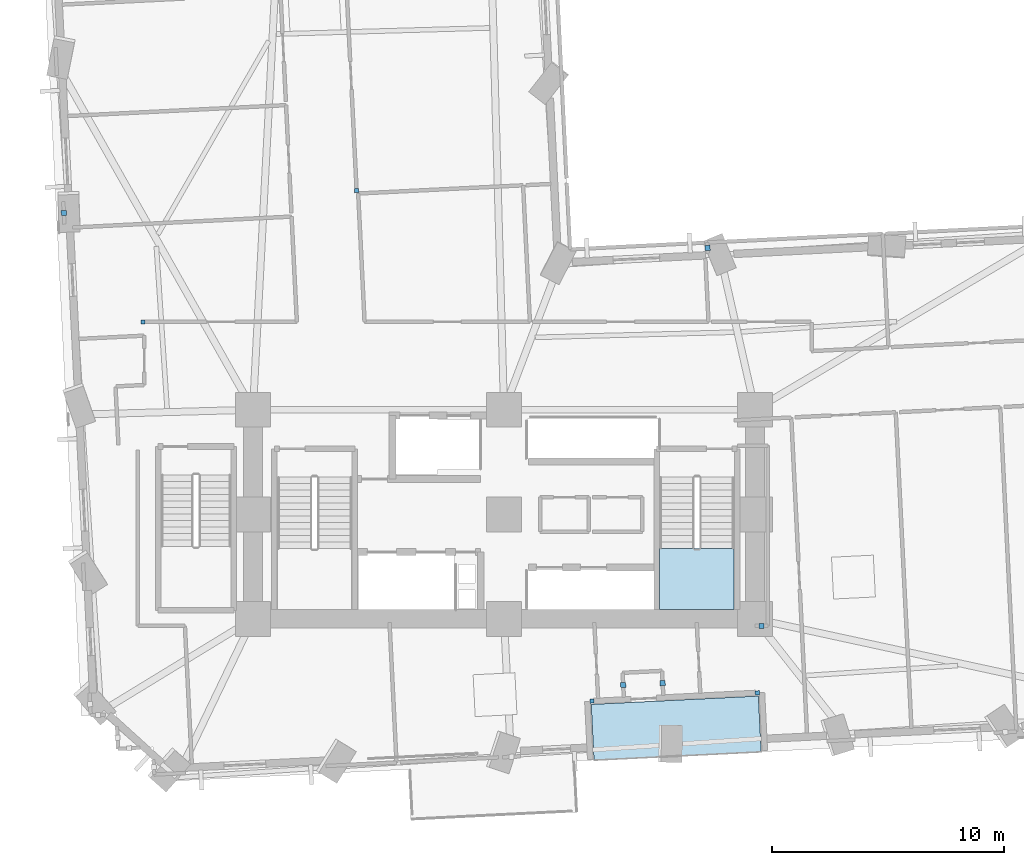
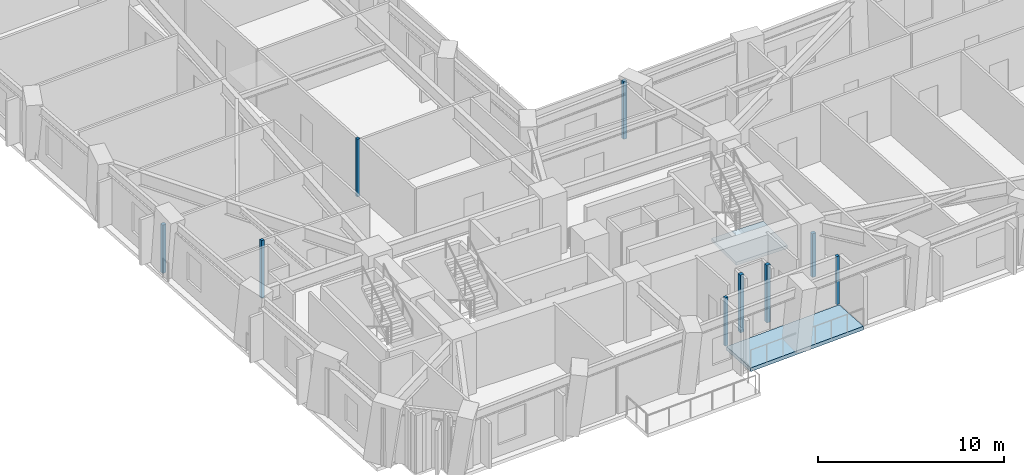
# One storey, part 4 of 15: 9 plates, 2 slabs, 1 element without a shape of its own.
"""IFC4 building model written with IfcOpenShell, lengths in metres."""

from ifc_helpers import new_model, si_unit, direction, frame, origin, origin_2d, place, context, subcontext, project, spatial, polyline, rectangle, outline, extrude, material, layer, layer_set, type_object, element, aggregate, save


model = new_model("IFC4")

# Units and contexts
model_context = context("Model", 3, precision=1e-05, world=origin(), true_north=direction((0.0, 1.0)))
body_context = subcontext(model_context, "Body", "Model", "MODEL_VIEW")
ifc_project = project(units=[si_unit("LENGTHUNIT", "METRE"), si_unit("AREAUNIT", "SQUARE_METRE"), si_unit("VOLUMEUNIT", "CUBIC_METRE"), si_unit("PLANEANGLEUNIT", "RADIAN"), si_unit("MASSUNIT", "GRAM", prefix="KILO")], contexts=[model_context])

# Site, building, storey
site_placement = place(None, origin())
site = spatial("IfcSite", under=ifc_project, at=site_placement, CompositionType="ELEMENT")
building_placement = place(site_placement, origin())
building = spatial("IfcBuilding", under=site, at=building_placement, Name="Gaonmaruhae Medical Tower", CompositionType="ELEMENT")
storey_placement = place(building_placement, frame((0.0, 0.0, 35.0)))
storey = spatial("IfcBuildingStorey", under=building, at=storey_placement, Name="L07", CompositionType="ELEMENT", Elevation=35.0)

# Plates
ifc_material_1 = material(Name="Anodised aluminium 6063-T6", Category="aluminium")
ifc_layer_1 = layer(ifc_material_1, 0.011962890625)
ifc_layer_set_1 = layer_set([ifc_layer_1], Name="Anodised aluminium 6063-T6")
plate_type = type_object("IfcPlateType", Name="PP-01 Interior Partition Corner Stiffener Plate", PredefinedType="SHEET", material=ifc_layer_set_1)
for number, where, z_axis, x_axis, name in (
    (1, (35.697021484375, 4.619384765625, 0.0), (0.0, 0.0, 1.0), (-0.998763995213, -0.049703942156, 0.0), "L07 Partition End Jamb Post Plate PLT-L07-ENDP-TERB-0"),
    (2, (28.585693359375, 4.265380859375, 0.0), (0.0, 0.0, 1.0), (-0.998763995213, -0.049703942156, 0.0), "L07 Partition End Jamb Post Plate PLT-L07-ENDP-TERB-1"),
):
    element("IfcPlate", number, at=place(storey_placement, frame(where, z_axis=z_axis, x_axis=x_axis)), inside=storey, type_object=plate_type, Name=name, PredefinedType="SHEET", context=body_context, shape_type="SweptSolid", body=[
        extrude(rectangle(XDim=0.179931640625, YDim=0.179931640625, at=origin_2d()), origin(), (0.0, 0.0, 1.0), 3.1650390625),
    ])
for number, where, z_axis, x_axis, name in (
    (3, (9.26708984375, 20.580078125, 0.0), (0.0, 0.0, 1.0), (-1.0, 0.0, 0.0), "L07 Partition End Jamb Post Plate PLT-L07-ENDP-PW057-1"),
    (4, (18.4599609375, 26.22900390625, 0.0), (0.0, 0.0, 1.0), (-0.049738805566, 0.99876225961, 0.0), "L07 Partition End Jamb Post Plate PLT-L07-ENDP-PW102-0"),
):
    element("IfcPlate", number, at=place(storey_placement, frame(where, z_axis=z_axis, x_axis=x_axis)), inside=storey, type_object=plate_type, Name=name, PredefinedType="SHEET", context=body_context, shape_type="SweptSolid", body=[
        extrude(rectangle(XDim=0.179931640625, YDim=0.179931640625, at=origin_2d()), origin(), (0.0, 0.0, 1.0), 3.780029296875),
    ])
for number, where, z_axis, x_axis, name in (
    (5, (31.62646484375, 5.0400390625, 0.0), (0.0, 0.0, 1.0), (-0.050226886924, 0.998737833383, 0.0), "L07 Partition Corner Stiffener Plate PLT-L07-JGP-PW027"),
    (6, (29.928955078125, 4.95556640625, 0.0), (0.0, 0.0, 1.0), (0.049320440658, -0.99878300653, 0.0), "L07 Partition Corner Stiffener Plate PLT-L07-JGP-PW029"),
):
    element("IfcPlate", number, at=place(storey_placement, frame(where, z_axis=z_axis, x_axis=x_axis)), inside=storey, type_object=plate_type, Name=name, PredefinedType="SHEET", context=body_context, shape_type="SweptSolid", body=[
        extrude(rectangle(XDim=0.219970703125, YDim=0.219970703125, at=origin_2d()), origin(), (0.0, 0.0, 1.0), 3.780029296875),
    ])
plate_1_placement = place(storey_placement, frame((35.875, 7.5, 0.0), z_axis=(0.0, 0.0, 1.0), x_axis=(1.0, 0.0, 0.0)))
element("IfcPlate", 7, at=plate_1_placement, inside=storey, type_object=plate_type, Name="L07 Partition Corner Stiffener Plate PLT-L07-JGP-PW030", PredefinedType="SHEET", context=body_context, shape_type="SweptSolid", body=[
    extrude(rectangle(XDim=0.219970703125, YDim=0.219970703125, at=origin_2d()), origin(), (0.0, 0.0, 1.0), 2.864990234375),
])
plate_2_placement = place(storey_placement, frame((5.863037109375, 25.2666015625, 0.0), z_axis=(0.0, 0.0, 1.0), x_axis=(-0.049477328516, 0.998775246971, 0.0)))
element("IfcPlate", 8, at=plate_2_placement, inside=storey, type_object=plate_type, Name="L07 Partition Corner Stiffener Plate PLT-L07-JGP-PW060", PredefinedType="SHEET", context=body_context, shape_type="SweptSolid", body=[
    extrude(rectangle(XDim=0.219970703125, YDim=0.219970703125, at=origin_2d()), origin(), (0.0, 0.0, 1.0), 3.1650390625),
])
plate_3_placement = place(storey_placement, frame((33.560546875, 23.763427734375, 0.0), z_axis=(0.0, 0.0, 1.0), x_axis=(-0.04940760073, 0.998778698707, 0.0)))
element("IfcPlate", 9, at=plate_3_placement, inside=storey, type_object=plate_type, Name="L07 Partition Corner Stiffener Plate PLT-L07-JGP-PW085", PredefinedType="SHEET", context=body_context, shape_type="SweptSolid", body=[
    extrude(rectangle(XDim=0.219970703125, YDim=0.219970703125, at=origin_2d()), origin(), (0.0, 0.0, 1.0), 3.780029296875),
])

# Stair, slab
ifc_material_2 = material(Name="Concrete C40/50", Category="concrete")
stair_type = type_object("IfcStairType", Name="ST-T1 Primary Core Escape Dogleg Stair", PredefinedType="TWO_QUARTER_TURN_STAIR", material=ifc_material_2)
stair_placement = place(storey_placement, origin())
stair = element("IfcStair", 10, at=stair_placement, inside=storey, type_object=stair_type, Name="L07 Protected Escape Stair ST-02", PredefinedType="TWO_QUARTER_TURN_STAIR")
ifc_layer_2 = layer(ifc_material_2, 0.199951171875)
ifc_layer_set_2 = layer_set([ifc_layer_2], Name="Concrete C40/50")
slab_type_1 = type_object("IfcSlabType", Name="SL-200 Stair & Ramp Intermediate Concrete Landing", PredefinedType="LANDING", material=ifc_layer_set_2)
slab_1_placement = place(storey_placement, frame((0.0, 0.0, 1.800048828125)))
slab_1 = element("IfcSlab", 11, at=slab_1_placement, type_object=slab_type_1, Name="ST-02 landing 1", PredefinedType="LANDING", context=body_context, shape_type="SweptSolid", body=[
    extrude(outline(polyline([(31.5, 10.820068359375), (31.5, 8.2041015625), (34.699951171875, 8.2041015625), (34.699951171875, 10.820068359375), (31.5, 10.820068359375)])), origin(), (0.0, 0.0, 1.0), 0.199951171875),
])
aggregate(stair, [slab_1])

# Slab
ifc_layer_3 = layer(ifc_material_2, 0.239990234375)
ifc_layer_set_3 = layer_set([ifc_layer_3], Name="Concrete C40/50")
slab_type_2 = type_object("IfcSlabType", Name="TS-240 Sky Garden & Recovery Terrace Slab", PredefinedType="FLOOR", material=ifc_layer_set_3)
slab_2_placement = place(storey_placement, frame((0.0, 0.0, -0.239990234375)))
element("IfcSlab", 12, at=slab_2_placement, inside=storey, type_object=slab_type_2, Name="L07 Outdoor Recovery Terrace Slab", PredefinedType="FLOOR", context=body_context, shape_type="SweptSolid", body=[
    extrude(outline(polyline([(28.672119140625, 1.7265625), (35.86328125, 2.08447265625), (35.743896484375, 4.4814453125), (28.552734375, 4.12353515625), (28.672119140625, 1.7265625)])), origin(), (0.0, 0.0, 1.0), 0.239990234375),
])

save(model, "model.ifc")
